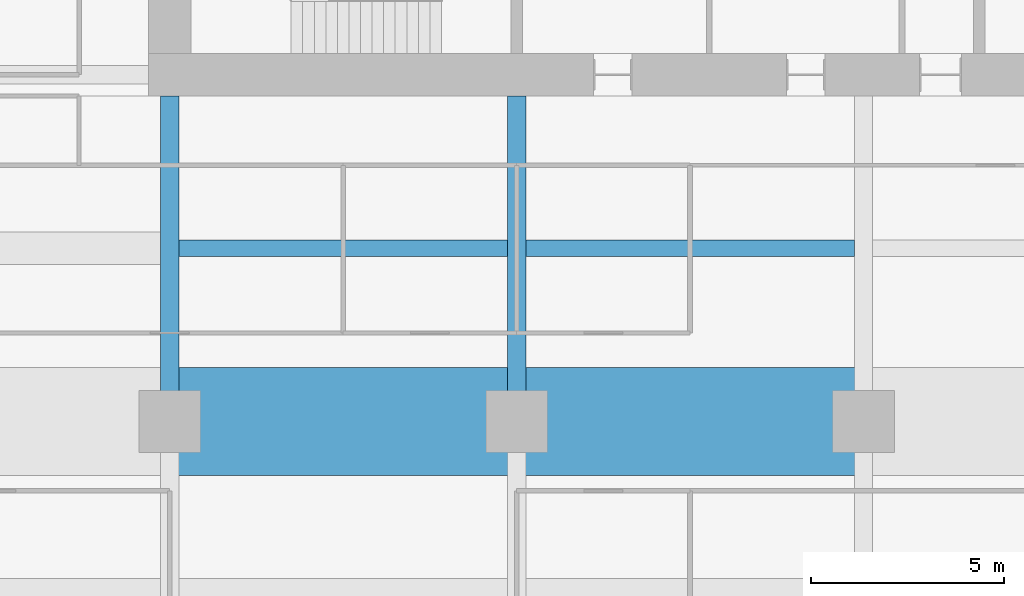
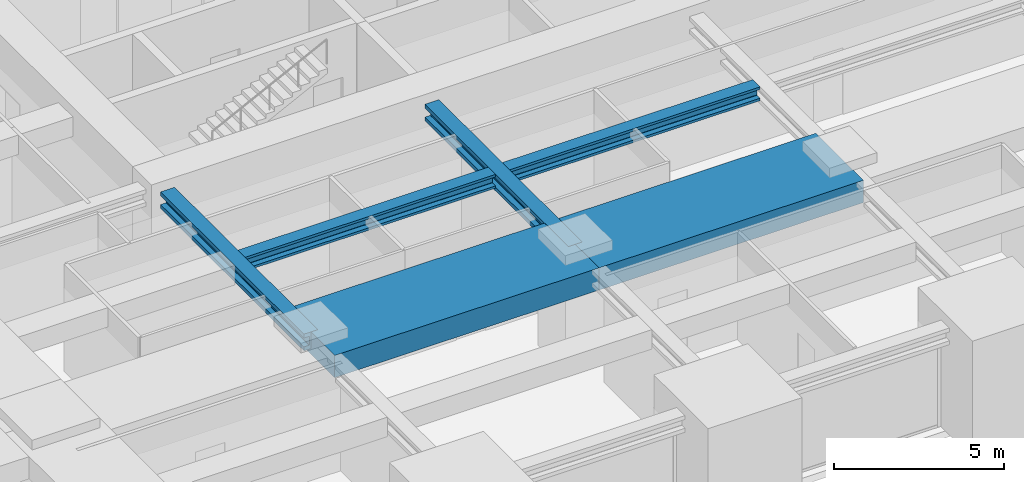
# One storey, part 9 of 39: 6 beams.
"""IFC4 building model written with IfcOpenShell, lengths in metres."""

from ifc_helpers import new_model, si_unit, direction, frame, origin, origin_2d, place, context, subcontext, project, spatial, rectangle, i_section, extrude, material, material_profile, profile_set, type_object, element, save


model = new_model("IFC4")

# Units and contexts
model_context = context("Model", 3, precision=1e-05, world=origin(), true_north=direction((0.0, 1.0)))
body_context = subcontext(model_context, "Body", "Model", "MODEL_VIEW")
ifc_project = project(units=[si_unit("LENGTHUNIT", "METRE"), si_unit("AREAUNIT", "SQUARE_METRE"), si_unit("VOLUMEUNIT", "CUBIC_METRE"), si_unit("PLANEANGLEUNIT", "RADIAN"), si_unit("MASSUNIT", "GRAM", prefix="KILO")], contexts=[model_context])

# Site, building, storey
site_placement = place(None, origin())
site = spatial("IfcSite", under=ifc_project, at=site_placement, CompositionType="ELEMENT")
building_placement = place(site_placement, origin())
building = spatial("IfcBuilding", under=site, at=building_placement, Name="Zorevar Civic Tower", CompositionType="ELEMENT")
storey_placement = place(building_placement, frame((0.0, 0.0, 230.199951171875)))
storey = spatial("IfcBuildingStorey", under=building, at=storey_placement, Name="L56", CompositionType="ELEMENT", Elevation=230.199951171875)

# Beams
ifc_material_1 = material(Name="Concrete C50/60", Category="concrete")
ifc_material_profile_1 = material_profile(ifc_material_1, rectangle(XDim=2.800048828125, YDim=0.800048828125, at=origin_2d()), Name="RC 2800x800")
ifc_profile_set_1 = profile_set([ifc_material_profile_1], Name="Concrete C50/60")
beam_type_1 = type_object("IfcBeamType", Name="Beam RC 2800x800", PredefinedType="BEAM", material=ifc_profile_set_1)
for number, where, z_axis, x_axis, name in (
    (1, (18.0, 9.0, 3.449951171875), (1.0, 0.0, 0.0), (0.0, 1.0, 0.0), "Girder L57"),
    (2, (27.0, 9.0, 3.449951171875), (1.0, 0.0, 0.0), (0.0, 1.0, 0.0), "Girder L57"),
):
    element("IfcBeam", number, at=place(storey_placement, frame(where, z_axis=z_axis, x_axis=x_axis)), inside=storey, type_object=beam_type_1, Name=name, PredefinedType="BEAM", context=body_context, shape_type="SweptSolid", body=[
        extrude(rectangle(XDim=2.800048828125, YDim=0.800048828125, at=origin_2d()), origin(), (0.0, 0.0, 1.0), 9.0),
    ])
ifc_material_2 = material(Name="Steel S460M (HISTAR 460)", Category="steel")
ifc_material_profile_2 = material_profile(ifc_material_2, i_section(OverallWidth=0.431884765625, OverallDepth=0.498046875, WebThickness=0.0556640625, FlangeThickness=0.0888671875, FilletRadius=0.014892578125, at=origin_2d()), Name="HD 400x744")
ifc_profile_set_2 = profile_set([ifc_material_profile_2], Name="Steel S460M (HISTAR 460)")
beam_type_2 = type_object("IfcBeamType", Name="Core bay beam HD 400x744", PredefinedType="BEAM", material=ifc_profile_set_2)
for number, where, z_axis, x_axis, name in (
    (3, (18.238037109375, 13.5, 3.60107421875), (1.0, 0.0, 0.0), (0.0, 1.0, 0.0), "Secondary beam L57"),
    (4, (27.238037109375, 13.5, 3.60107421875), (1.0, 0.0, 0.0), (0.0, 1.0, 0.0), "Secondary beam L57"),
):
    element("IfcBeam", number, at=place(storey_placement, frame(where, z_axis=z_axis, x_axis=x_axis)), inside=storey, type_object=beam_type_2, Name=name, PredefinedType="BEAM", context=body_context, shape_type="SweptSolid", body=[
        extrude(i_section(OverallWidth=0.431884765625, OverallDepth=0.498046875, WebThickness=0.0556640625, FlangeThickness=0.0888671875, FilletRadius=0.014892578125, at=origin_2d()), origin(), (0.0, 0.0, 1.0), 8.52392578125),
    ])
ifc_material_3 = material(Name="Steel S460M (HISTAR 460)", Category="steel")
ifc_material_profile_3 = material_profile(ifc_material_3, i_section(OverallWidth=0.47607421875, OverallDepth=0.60009765625, WebThickness=0.10009765625, FlangeThickness=0.139892578125, FilletRadius=0.014892578125, at=origin_2d()), Name="HD 400x1299")
ifc_profile_set_3 = profile_set([ifc_material_profile_3], Name="Steel S460M (HISTAR 460)")
beam_type_3 = type_object("IfcBeamType", Name="Outrigger chord HD 400x1299", PredefinedType="BEAM", material=ifc_profile_set_3)
for number, where, z_axis, x_axis, name in (
    (5, (18.0, 9.0, 3.550048828125), (0.0, 1.0, 0.0), (-1.0, 0.0, 0.0), "Outrigger chord L57"),
    (6, (27.0, 9.0, 3.550048828125), (0.0, 1.0, 0.0), (-1.0, 0.0, 0.0), "Outrigger chord L57"),
):
    element("IfcBeam", number, at=place(storey_placement, frame(where, z_axis=z_axis, x_axis=x_axis)), inside=storey, type_object=beam_type_3, Name=name, PredefinedType="BEAM", context=body_context, shape_type="SweptSolid", body=[
        extrude(i_section(OverallWidth=0.47607421875, OverallDepth=0.60009765625, WebThickness=0.10009765625, FlangeThickness=0.139892578125, FilletRadius=0.014892578125, at=origin_2d()), origin(), (0.0, 0.0, 1.0), 8.449951171875),
    ])

save(model, "model.ifc")
